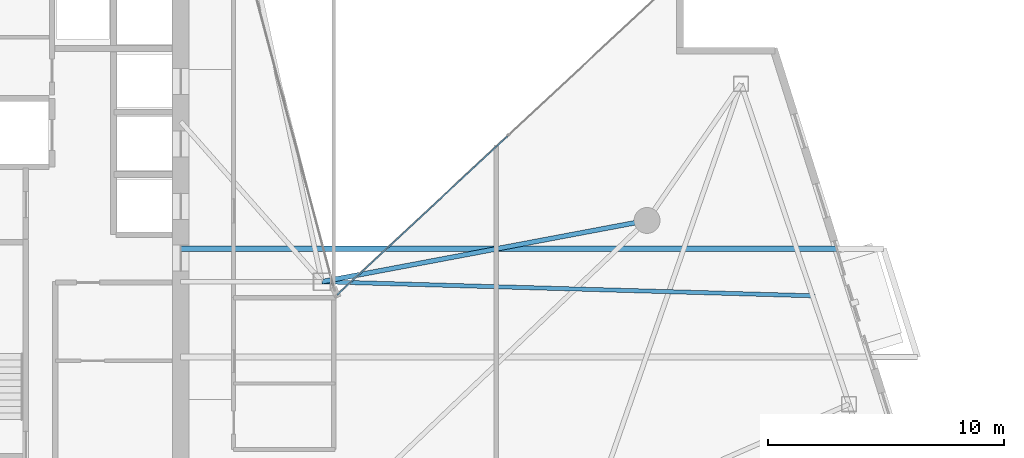
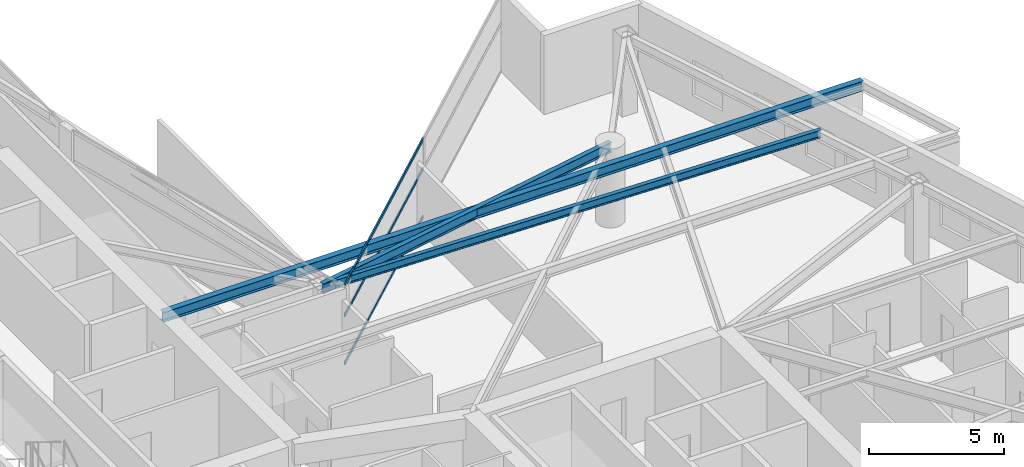
# One storey, part 11 of 27: 3 beams, 3 members, 1 element without a shape of its own.
"""IFC4 building model written with IfcOpenShell, lengths in metres."""

from ifc_helpers import new_model, si_unit, direction, frame, origin, origin_2d, place, context, subcontext, project, spatial, hollow_rectangle, i_section, extrude, material, layer, layer_set, material_profile, profile_set, type_object, element, aggregate, save


model = new_model("IFC4")

# Units and contexts
model_context = context("Model", 3, precision=1e-05, world=origin(), true_north=direction((0.0, 1.0)))
body_context = subcontext(model_context, "Body", "Model", "MODEL_VIEW")
ifc_project = project(units=[si_unit("LENGTHUNIT", "METRE"), si_unit("AREAUNIT", "SQUARE_METRE"), si_unit("VOLUMEUNIT", "CUBIC_METRE"), si_unit("PLANEANGLEUNIT", "RADIAN"), si_unit("MASSUNIT", "GRAM", prefix="KILO")], contexts=[model_context])

# Site, building, storey
site_placement = place(None, origin())
site = spatial("IfcSite", under=ifc_project, at=site_placement, CompositionType="ELEMENT")
building_placement = place(site_placement, origin())
building = spatial("IfcBuilding", under=site, at=building_placement, Name="Calvorn Quay Hotel", CompositionType="ELEMENT")
storey_placement = place(building_placement, frame((0.0, 0.0, 226.89990234375)))
storey = spatial("IfcBuildingStorey", under=building, at=storey_placement, Name="L56", CompositionType="ELEMENT", Elevation=226.89990234375)

# Beams
ifc_material_1 = material(Name="Steel Q355B", Category="steel")
ifc_material_profile_1 = material_profile(ifc_material_1, i_section(OverallWidth=0.25, OverallDepth=0.449951171875, WebThickness=0.011962890625, FlangeThickness=0.01611328125, FilletRadius=0.01611328125, at=origin_2d()), Name="HN450x250x12x16")
ifc_profile_set_1 = profile_set([ifc_material_profile_1], Name="Steel Q355B")
beam_type_1 = type_object("IfcBeamType", Name="BM-CANT-BALC", PredefinedType="BEAM", material=ifc_profile_set_1)
beam_1_placement = place(storey_placement, frame((15.0, 26.39990234375, 3.315185546875), z_axis=(1.0, 0.0, 0.0), x_axis=(0.0, 1.0, 0.0)))
element("IfcBeam", 1, at=beam_1_placement, inside=storey, type_object=beam_type_1, Name="Cantilever Balcony Beam BCB-L57-1B", PredefinedType="BEAM", context=body_context, shape_type="SweptSolid", body=[
    extrude(i_section(OverallWidth=0.25, OverallDepth=0.449951171875, WebThickness=0.011962890625, FlangeThickness=0.01611328125, FilletRadius=0.01611328125, at=origin_2d()), origin(), (0.0, 0.0, 1.0), 29.8369140625),
])
ifc_material_2 = material(Name="Steel Q355B", Category="steel")
ifc_material_profile_2 = material_profile(ifc_material_2, i_section(OverallWidth=0.175048828125, OverallDepth=0.35009765625, WebThickness=0.007080078125, FlangeThickness=0.010986328125, FilletRadius=0.013916015625, at=origin_2d()), Name="HN350x175x7x11")
ifc_profile_set_2 = profile_set([ifc_material_profile_2], Name="Steel Q355B")
beam_type_2 = type_object("IfcBeamType", Name="BM-JOIST-SEC", PredefinedType="JOIST", material=ifc_profile_set_2)
beam_2_placement = place(storey_placement, frame((21.0, 25.0, 3.364990234375), z_axis=(0.999589103827, -0.028663975842, 0.0), x_axis=(0.028663975842, 0.999589103827, 0.0)))
element("IfcBeam", 2, at=beam_2_placement, inside=storey, type_object=beam_type_2, Name="Beam BJ-L56-E3", PredefinedType="JOIST", context=body_context, shape_type="SweptSolid", body=[
    extrude(i_section(OverallWidth=0.175048828125, OverallDepth=0.35009765625, WebThickness=0.007080078125, FlangeThickness=0.010986328125, FilletRadius=0.013916015625, at=origin_2d()), origin(), (0.0, 0.0, 1.0), 20.935546875),
])
ifc_material_3 = material(Name="Steel Q355B", Category="steel")
ifc_material_profile_3 = material_profile(ifc_material_3, i_section(OverallWidth=0.199951171875, OverallDepth=0.449951171875, WebThickness=0.009033203125, FlangeThickness=0.013916015625, FilletRadius=0.01611328125, at=origin_2d()), Name="HN450x200x9x14")
ifc_profile_set_3 = profile_set([ifc_material_profile_3], Name="Steel Q355B")
beam_type_3 = type_object("IfcBeamType", Name="BM-SPANDREL-Z3", PredefinedType="SPANDREL", material=ifc_profile_set_3)
beam_3_placement = place(storey_placement, frame((34.800048828125, 27.60009765625, 3.315185546875), z_axis=(-0.982709432406, -0.185154452988, 0.0), x_axis=(0.185154452988, -0.982709432406, 0.0)))
element("IfcBeam", 3, at=beam_3_placement, inside=storey, type_object=beam_type_3, Name="Beam BSP-L56-E4", PredefinedType="SPANDREL", context=body_context, shape_type="SweptSolid", body=[
    extrude(i_section(OverallWidth=0.199951171875, OverallDepth=0.449951171875, WebThickness=0.009033203125, FlangeThickness=0.013916015625, FilletRadius=0.01611328125, at=origin_2d()), origin(), (0.0, 0.0, 1.0), 14.04296875),
])

# Curtain wall, members
ifc_material_4 = material(Name="Champagne Bronze Anodised Aluminium and Low-E Glass", Category="aluminium")
ifc_layer = layer(ifc_material_4, 0.219970703125)
ifc_layer_set = layer_set([ifc_layer], Name="CW-SYS-Z3")
curtain_wall_type = type_object("IfcCurtainWallType", Name="CW-SYS-Z3", PredefinedType="NOTDEFINED", material=ifc_layer_set)
curtain_wall_placement = place(storey_placement, origin())
curtain_wall = element("IfcCurtainWall", 4, at=curtain_wall_placement, inside=storey, type_object=curtain_wall_type, Name="Inner Court Curtain Wall L56-NE1", PredefinedType="NOTDEFINED")
ifc_material_5 = material(Name="Champagne Bronze Anodised Aluminium 6063-T6", Category="aluminium")
ifc_material_profile_4 = material_profile(ifc_material_5, hollow_rectangle(XDim=0.05810546875, YDim=0.139892578125, WallThickness=0.003173828125, at=origin_2d()), Name="ALU-T140x58x3.2")
ifc_profile_set_4 = profile_set([ifc_material_profile_4], Name="Champagne Bronze Anodised Aluminium 6063-T6")
member_type = type_object("IfcMemberType", Name="CW-SYS-Z3-TRN", PredefinedType="USERDEFINED", material=ifc_profile_set_4)
member_1_placement = place(storey_placement, frame((28.8779296875, 31.179443359375, 0.030029296875), z_axis=(-0.731727475975, -0.681597315798, 0.0), x_axis=(0.681597315798, -0.731727475975, 0.0)))
member_1 = element("IfcMember", 5, at=member_1_placement, type_object=member_type, Name="CW-L56-NE1 transom 2.1", ObjectType="TRANSOM", PredefinedType="USERDEFINED", context=body_context, shape_type="SweptSolid", body=[
    extrude(hollow_rectangle(XDim=0.05810546875, YDim=0.139892578125, WallThickness=0.003173828125, at=origin_2d()), origin(), (0.0, 0.0, 1.0), 9.886474609375),
])
member_2_placement = place(storey_placement, frame((28.8779296875, 31.179443359375, 2.2001953125), z_axis=(-0.731727475975, -0.681597315798, 0.0), x_axis=(0.681597315798, -0.731727475975, 0.0)))
member_2 = element("IfcMember", 6, at=member_2_placement, type_object=member_type, Name="CW-L56-NE1 transom 2.2", ObjectType="TRANSOM", PredefinedType="USERDEFINED", context=body_context, shape_type="SweptSolid", body=[
    extrude(hollow_rectangle(XDim=0.05810546875, YDim=0.139892578125, WallThickness=0.003173828125, at=origin_2d()), origin(), (0.0, 0.0, 1.0), 9.886474609375),
])
member_3_placement = place(storey_placement, frame((28.8779296875, 31.179443359375, 3.530029296875), z_axis=(-0.731727475975, -0.681597315798, 0.0), x_axis=(0.681597315798, -0.731727475975, 0.0)))
member_3 = element("IfcMember", 7, at=member_3_placement, type_object=member_type, Name="CW-L56-NE1 transom 2.3", ObjectType="TRANSOM", PredefinedType="USERDEFINED", context=body_context, shape_type="SweptSolid", body=[
    extrude(hollow_rectangle(XDim=0.05810546875, YDim=0.139892578125, WallThickness=0.003173828125, at=origin_2d()), origin(), (0.0, 0.0, 1.0), 9.886474609375),
])
aggregate(curtain_wall, [member_1, member_2, member_3])

save(model, "model.ifc")
